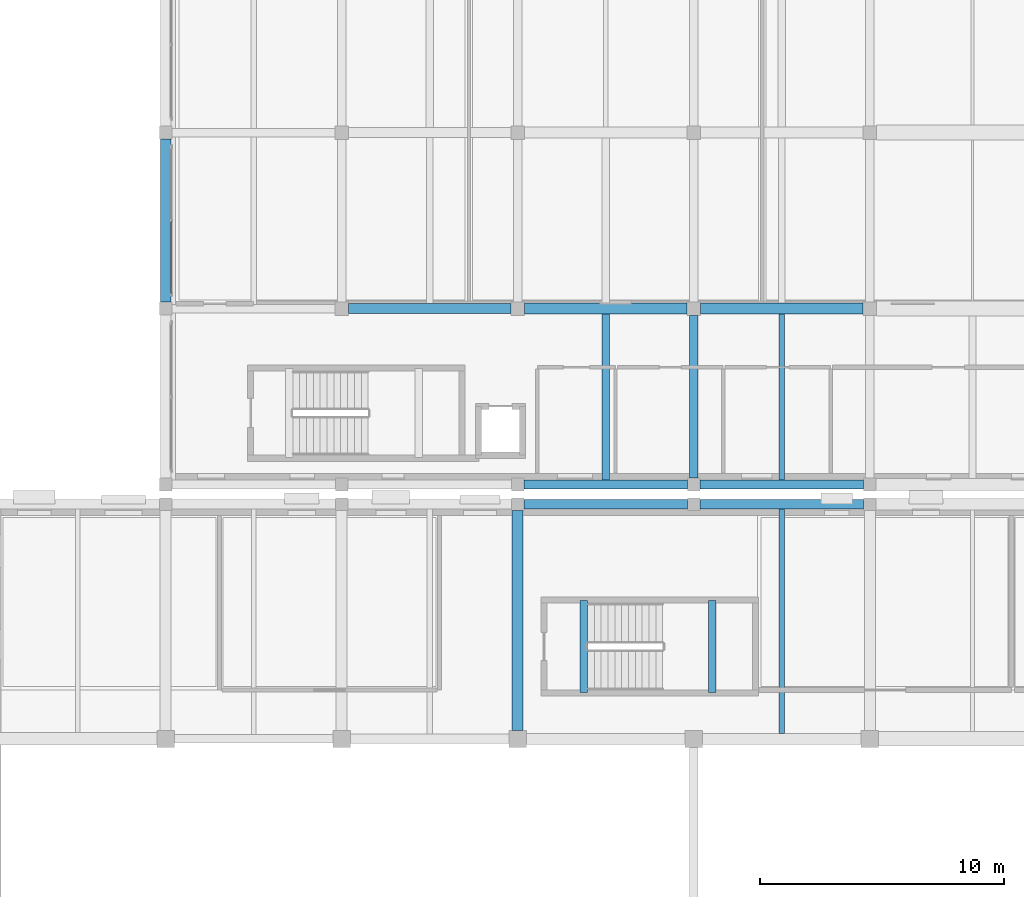
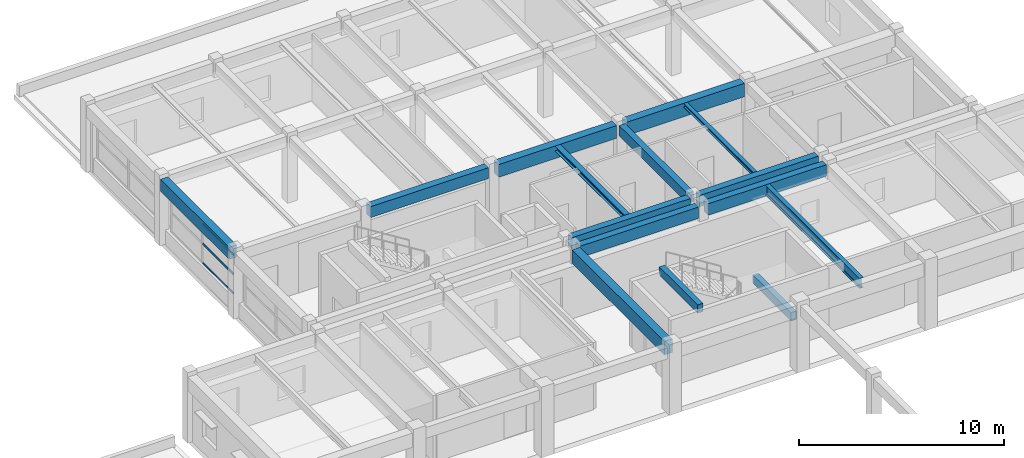
# One storey, part 35 of 67: 15 beams, 3 members, 1 element without a shape of its own.
"""IFC4 building model written with IfcOpenShell, lengths in metres."""

import ifcopenshell
import ifcopenshell.guid

model = None  # the IFC model being written
_history = None  # IfcOwnerHistory: only IFC2X3 demands one
_inside = {}  # id of a spatial element -> (the spatial element, [elements in it])
_under = {}  # id of a project, library or spatial element -> (it, [spatial elements below it])
_declared = {}  # id of a project -> (the project, [libraries it declares])
_typed = {}  # id of a type object -> (the type object, [elements of that type])
_made_of = {}  # id of a material, layer set ... -> (it, [elements and type objects made of it])


def new_model(schema):
    """Start an empty IFC model of exactly this schema.

    Asked for "IFC4X3", IfcOpenShell would pick the latest addendum, in which some entities
    have other attributes; the version numbers below select the first issue.
    IFC2X3 requires an IfcOwnerHistory on every rooted entity: one is made here for all.
    """
    global model, _history
    if schema == "IFC4X3":
        model = ifcopenshell.file(schema_version=(4, 3, 0, 0))
    else:
        model = ifcopenshell.file(schema=schema)
    _inside.clear()
    _under.clear()
    _declared.clear()
    _typed.clear()
    _made_of.clear()
    _history = None
    if model.schema == "IFC2X3":
        org = make("IfcOrganization", Name="unknown")
        user = make(
            "IfcPersonAndOrganization",
            ThePerson=make("IfcPerson", FamilyName="unknown"),
            TheOrganization=org,
        )
        app = make(
            "IfcApplication",
            ApplicationDeveloper=org,
            Version="unknown",
            ApplicationFullName="unknown",
            ApplicationIdentifier="unknown",
        )
        _history = make(
            "IfcOwnerHistory",
            OwningUser=user,
            OwningApplication=app,
            ChangeAction="ADDED",
            CreationDate=0,
        )
    return model


def make(cls, **values):
    """One entity of the class cls with the attributes given. An attribute that is None is left unset."""
    return model.create_entity(
        cls, **{name: value for name, value in values.items() if value is not None}
    )


def rooted(cls, **values):
    """An entity with a GlobalId (a new one), such as an element, a storey or a relation."""
    return make(cls, GlobalId=ifcopenshell.guid.new(), OwnerHistory=_history, **values)


def si_unit(unit_type, name, prefix=None):
    """IfcSIUnit, for example si_unit("LENGTHUNIT", "METRE", prefix="MILLI")."""
    return make("IfcSIUnit", UnitType=unit_type, Prefix=prefix, Name=name)


def assignment(units):
    """IfcUnitAssignment: the units of a project."""
    return None if units is None else make("IfcUnitAssignment", Units=units)


def point(xyz):
    """IfcCartesianPoint."""
    return None if xyz is None else make("IfcCartesianPoint", Coordinates=xyz)


def direction(xyz):
    """IfcDirection."""
    return None if xyz is None else make("IfcDirection", DirectionRatios=xyz)


def frame(location, z_axis=None, x_axis=None):
    """IfcAxis2Placement3D, a coordinate frame: its origin and axes. An axis left out is left unset."""
    return make(
        "IfcAxis2Placement3D",
        Location=point(location),
        Axis=direction(z_axis),
        RefDirection=direction(x_axis),
    )


def frame_2d(location, x_axis=None):
    """IfcAxis2Placement2D, a coordinate frame in the plane: its origin and x axis."""
    return make(
        "IfcAxis2Placement2D", Location=point(location), RefDirection=direction(x_axis)
    )


def origin():
    """The frame at (0, 0, 0) with its axes left unset."""
    return frame((0.0, 0.0, 0.0))


def origin_2d():
    """The frame at (0, 0) in the plane with its x axis left unset."""
    return frame_2d((0.0, 0.0))


def place(relative_to, where):
    """IfcLocalPlacement: puts the frame where relative to a parent placement (None: the world)."""
    return make(
        "IfcLocalPlacement", PlacementRelTo=relative_to, RelativePlacement=where
    )


def context(
    kind, dimensions, precision=None, world=None, true_north=None, identifier=None
):
    """IfcGeometricRepresentationContext, for example the 3D "Model" context."""
    return make(
        "IfcGeometricRepresentationContext",
        ContextIdentifier=identifier,
        ContextType=kind,
        CoordinateSpaceDimension=dimensions,
        Precision=precision,
        WorldCoordinateSystem=world,
        TrueNorth=true_north,
    )


def subcontext(parent, identifier, kind, view, scale=None):
    """IfcGeometricRepresentationSubContext, for example "Body" below "Model"."""
    return make(
        "IfcGeometricRepresentationSubContext",
        ContextIdentifier=identifier,
        ContextType=kind,
        ParentContext=parent,
        TargetScale=scale,
        TargetView=view,
    )


def project(units=None, contexts=None):
    """IfcProject with its units and contexts."""
    return rooted(
        "IfcProject",
        Name="project",
        RepresentationContexts=contexts,
        UnitsInContext=assignment(units),
    )


def spatial(cls, under=None, at=None, **own):
    """A site, building, storey or space (cls), placed at a placement, below another one or the project."""
    s = rooted(cls, ObjectPlacement=at, **own)
    if under is not None:
        _under.setdefault(under.id(), (under, []))[1].append(s)
    return s


def profile(cls, at=None, kind="AREA", **sizes):
    """A parametric profile (cls). Its sizes go by their IFC names, for example OverallWidth=200.0."""
    return make(cls, ProfileType=kind, Position=at, **sizes)


def rectangle(**sizes):
    """IfcRectangleProfileDef."""
    return profile("IfcRectangleProfileDef", **sizes)


def hollow_rectangle(**sizes):
    """IfcRectangleHollowProfileDef."""
    return profile("IfcRectangleHollowProfileDef", **sizes)


def i_section(**sizes):
    """IfcIShapeProfileDef."""
    return profile("IfcIShapeProfileDef", **sizes)


def extrude(swept, where, along, depth):
    """IfcExtrudedAreaSolid: the profile swept, set in the frame where, extruded along a direction by depth."""
    return make(
        "IfcExtrudedAreaSolid",
        SweptArea=swept,
        Position=where,
        ExtrudedDirection=direction(along),
        Depth=depth,
    )


def shape(context_of_items, identifier, shape_type, items):
    """IfcShapeRepresentation: the items that make up one representation, for example the "Body"."""
    return make(
        "IfcShapeRepresentation",
        ContextOfItems=context_of_items,
        RepresentationIdentifier=identifier,
        RepresentationType=shape_type,
        Items=items,
    )


def material(Name=None, Category=None):
    """IfcMaterial."""
    return make("IfcMaterial", Name=Name, Category=Category)


def material_profile(
    of_material, cross_section, Name=None, Category=None, Priority=None
):
    """IfcMaterialProfile: a cross section and its material."""
    return make(
        "IfcMaterialProfile",
        Name=Name,
        Material=of_material,
        Profile=cross_section,
        Priority=Priority,
        Category=Category,
    )


def profile_set(profiles, Name=None, composite=None):
    """IfcMaterialProfileSet."""
    return make(
        "IfcMaterialProfileSet",
        Name=Name,
        MaterialProfiles=profiles,
        CompositeProfile=composite,
    )


def made_of(thing, what):
    """Note that an element or type object is made of a material, layer set ...; save() writes the relation."""
    if what is not None:
        _made_of.setdefault(what.id(), (what, []))[1].append(thing)
    return thing


def type_object(cls, material=None, **own):
    """A type object (cls), such as IfcWallType, which elements share."""
    return made_of(rooted(cls, **own), material)


def element(
    cls,
    number,
    at=None,
    inside=None,
    cuts=None,
    type_object=None,
    material=None,
    context=None,
    identifier="Body",
    shape_type=None,
    held_by="IfcProductDefinitionShape",
    body=None,
    shapes=None,
    **own,
):
    """One element of the class cls, such as IfcWall. Its Tag is "e" and its number.

    at: its placement. inside: the storey or other place that contains it. cuts: it is an
    opening in that element (IfcRelVoidsElement). A single representation is given by context,
    identifier, shape_type and body (its items); several are given by shapes. held_by: the class
    of the entity that holds the representations. save() writes the other relations.
    """
    e = rooted(cls, Tag="e%d" % number, ObjectPlacement=at, **own)
    if body is not None:
        shapes = [shape(context, identifier, shape_type, body)]
    if shapes is not None:
        e.Representation = make(held_by, Representations=shapes)
    if inside is not None:
        _inside.setdefault(inside.id(), (inside, []))[1].append(e)
    if cuts is not None:
        rooted(
            "IfcRelVoidsElement", RelatingBuildingElement=cuts, RelatedOpeningElement=e
        )
    if type_object is not None:
        _typed.setdefault(type_object.id(), (type_object, []))[1].append(e)
    return made_of(e, material)


def aggregate(whole, parts):
    """IfcRelAggregates: a whole, such as a stair, and the parts it consists of."""
    return rooted("IfcRelAggregates", RelatingObject=whole, RelatedObjects=parts)


def save(model, path):
    """Write the relations noted so far, then the file.

    IfcRelAggregates (storeys below a building ...), IfcRelContainedInSpatialStructure (elements
    in a storey), IfcRelDefinesByType, IfcRelAssociatesMaterial and IfcRelDeclares: one each for
    every whole, place, type object, material and project.
    """
    for whole, parts in _under.values():
        aggregate(whole, parts)
    for where, things in _inside.values():
        rooted(
            "IfcRelContainedInSpatialStructure",
            RelatedElements=things,
            RelatingStructure=where,
        )
    for kind, things in _typed.values():
        rooted("IfcRelDefinesByType", RelatedObjects=things, RelatingType=kind)
    for what, things in _made_of.values():
        rooted("IfcRelAssociatesMaterial", RelatedObjects=things, RelatingMaterial=what)
    for by, libraries in _declared.values():
        rooted("IfcRelDeclares", RelatingContext=by, RelatedDefinitions=libraries)
    model.write(path)


model = new_model("IFC4")

# Units and contexts
model_context = context("Model", 3, precision=1e-05, world=origin(), true_north=direction((0.0, 1.0)))
body_context = subcontext(model_context, "Body", "Model", "MODEL_VIEW")
ifc_project = project(units=[si_unit("LENGTHUNIT", "METRE"), si_unit("AREAUNIT", "SQUARE_METRE"), si_unit("VOLUMEUNIT", "CUBIC_METRE"), si_unit("PLANEANGLEUNIT", "RADIAN"), si_unit("MASSUNIT", "GRAM", prefix="KILO")], contexts=[model_context])

# Site, building, storey
site_placement = place(None, origin())
site = spatial("IfcSite", under=ifc_project, at=site_placement, CompositionType="ELEMENT")
building_placement = place(site_placement, origin())
building = spatial("IfcBuilding", under=site, at=building_placement, Name="Bramveld Media Centre", CompositionType="ELEMENT")
storey_placement = place(building_placement, frame((0.0, 0.0, 5.39990234375)))
storey = spatial("IfcBuildingStorey", under=building, at=storey_placement, Name="L01", CompositionType="ELEMENT", Elevation=5.39990234375)

# Beams
ifc_material_1 = material(Name="Concrete C40/50", Category="concrete")
ifc_material_profile_1 = material_profile(ifc_material_1, rectangle(XDim=0.300048828125, YDim=0.5, at=origin_2d()), Name="RC 300x500")
ifc_profile_set_1 = profile_set([ifc_material_profile_1], Name="Concrete C40/50")
beam_type_1 = type_object("IfcBeamType", Name="BM-INT-RC-300x500", PredefinedType="BEAM", material=ifc_profile_set_1)
for number, where, z_axis, x_axis, name in (
    (1, (148.300048828125, 30.699951171875, 3.9501953125), (0.0, 1.0, 0.0), (-1.0, 0.0, 0.0), "ST-03 L02 stairwell landing trimmer beam"),
    (2, (153.550048828125, 30.699951171875, 1.650146484375), (0.0, 1.0, 0.0), (-1.0, 0.0, 0.0), "ST-03 L01 stairwell half-landing support beam"),
):
    element("IfcBeam", number, at=place(storey_placement, frame(where, z_axis=z_axis, x_axis=x_axis)), inside=storey, type_object=beam_type_1, Name=name, PredefinedType="BEAM", context=body_context, shape_type="SweptSolid", body=[
        extrude(rectangle(XDim=0.300048828125, YDim=0.5, at=origin_2d()), origin(), (0.0, 0.0, 1.0), 3.75),
    ])
ifc_material_2 = material(Name="Concrete C40/50", Category="concrete")
ifc_material_profile_2 = material_profile(ifc_material_2, rectangle(XDim=0.35009765625, YDim=0.60009765625, at=origin_2d()), Name="RC 350x600")
ifc_profile_set_2 = profile_set([ifc_material_profile_2], Name="Concrete C40/50")
beam_type_2 = type_object("IfcBeamType", Name="BM-INT-RC-350x600", PredefinedType="BEAM", material=ifc_profile_set_2)
beam_1_placement = place(storey_placement, frame((152.800048828125, 39.4599609375, 3.66015625), z_axis=(0.0, 1.0, 0.0), x_axis=(-1.0, 0.0, 0.0)))
element("IfcBeam", 3, at=beam_1_placement, inside=storey, type_object=beam_type_2, Name="V4 L01 girder Y-544", PredefinedType="BEAM", context=body_context, shape_type="SweptSolid", body=[
    extrude(rectangle(XDim=0.35009765625, YDim=0.60009765625, at=origin_2d()), origin(), (0.0, 0.0, 1.0), 6.6650390625),
])
ifc_material_3 = material(Name="Concrete C40/50", Category="concrete")
ifc_material_profile_3 = material_profile(ifc_material_3, rectangle(XDim=0.39990234375, YDim=0.64990234375, at=origin_2d()), Name="RC 400x650")
ifc_profile_set_3 = profile_set([ifc_material_profile_3], Name="Concrete C40/50")
beam_type_3 = type_object("IfcBeamType", Name="BM-INT-RC-400x650", PredefinedType="BEAM", material=ifc_profile_set_3)
beam_2_placement = place(storey_placement, frame((138.675048828125, 46.39990234375, 3.635009765625), z_axis=(1.0, 0.0, 0.0), x_axis=(0.0, 1.0, 0.0)))
element("IfcBeam", 4, at=beam_2_placement, inside=storey, type_object=beam_type_3, Name="V4 L01 girder X-523", PredefinedType="BEAM", context=body_context, shape_type="SweptSolid", body=[
    extrude(rectangle(XDim=0.39990234375, YDim=0.64990234375, at=origin_2d()), origin(), (0.0, 0.0, 1.0), 6.64990234375),
])
ifc_material_4 = material(Name="Concrete C40/50", Category="concrete")
ifc_material_profile_4 = material_profile(ifc_material_4, rectangle(XDim=0.449951171875, YDim=0.75, at=origin_2d()), Name="RC 450x750")
ifc_profile_set_4 = profile_set([ifc_material_profile_4], Name="Concrete C40/50")
beam_type_4 = type_object("IfcBeamType", Name="BM-INT-RC-450x750", PredefinedType="BEAM", material=ifc_profile_set_4)
beam_3_placement = place(storey_placement, frame((145.875, 46.39990234375, 3.585205078125), z_axis=(1.0, 0.0, 0.0), x_axis=(0.0, 1.0, 0.0)))
element("IfcBeam", 5, at=beam_3_placement, inside=storey, type_object=beam_type_4, Name="V4 L01 girder X-524", PredefinedType="BEAM", context=body_context, shape_type="SweptSolid", body=[
    extrude(rectangle(XDim=0.449951171875, YDim=0.75, at=origin_2d()), origin(), (0.0, 0.0, 1.0), 6.64990234375),
])
ifc_material_5 = material(Name="Concrete C40/50", Category="concrete")
ifc_material_profile_5 = material_profile(ifc_material_5, rectangle(XDim=0.449951171875, YDim=0.800048828125, at=origin_2d()), Name="RC 450x800")
ifc_profile_set_5 = profile_set([ifc_material_profile_5], Name="Concrete C40/50")
beam_type_5 = type_object("IfcBeamType", Name="BM-INT-RC-450x800", PredefinedType="BEAM", material=ifc_profile_set_5)
beam_4_placement = place(storey_placement, frame((145.60009765625, 29.14990234375, 3.5400390625), z_axis=(0.0, 1.0, 0.0), x_axis=(-1.0, 0.0, 0.0)))
element("IfcBeam", 6, at=beam_4_placement, inside=storey, type_object=beam_type_5, Name="V1 L01 girder Y-67", PredefinedType="BEAM", context=body_context, shape_type="SweptSolid", body=[
    extrude(rectangle(XDim=0.449951171875, YDim=0.800048828125, at=origin_2d()), origin(), (0.0, 0.0, 1.0), 8.989990234375),
])
beam_5_placement = place(storey_placement, frame((153.074951171875, 46.39990234375, 3.56005859375), z_axis=(1.0, 0.0, 0.0), x_axis=(0.0, 1.0, 0.0)))
element("IfcBeam", 7, at=beam_5_placement, inside=storey, type_object=beam_type_5, Name="V4 L01 girder X-525", PredefinedType="BEAM", context=body_context, shape_type="SweptSolid", body=[
    extrude(rectangle(XDim=0.449951171875, YDim=0.800048828125, at=origin_2d()), origin(), (0.0, 0.0, 1.0), 6.650146484375),
])

# Curtain wall, members
ifc_material_6 = material(Name="Thermally broken anodized bronze aluminium unitized curtain wall with solar-control triple glazing", Category="aluminium")
curtain_wall_type = type_object("IfcCurtainWallType", Name="CW-FACV4-6100x2350", PredefinedType="NOTDEFINED", material=ifc_material_6)
curtain_wall_placement = place(storey_placement, origin())
curtain_wall = element("IfcCurtainWall", 8, at=curtain_wall_placement, inside=storey, type_object=curtain_wall_type, Name="V4 L01 W curtain wall bay 2", PredefinedType="NOTDEFINED")
ifc_material_7 = material(Name="Thermally broken anodized bronze aluminium EN AW-6063 T6 curtain-wall framing", Category="aluminium")
ifc_material_profile_6 = material_profile(ifc_material_7, hollow_rectangle(XDim=0.06005859375, YDim=0.1201171875, WallThickness=0.00341796875, InnerFilletRadius=0.00341796875, OuterFilletRadius=0.007080078125, at=origin_2d()), Name="AL-TRAN 60x120")
ifc_profile_set_6 = profile_set([ifc_material_profile_6], Name="Thermally broken anodized bronze aluminium EN AW-6063 T6 curtain-wall framing")
member_type = type_object("IfcMemberType", Name="CW-TRAN-EXT", PredefinedType="USERDEFINED", material=ifc_profile_set_6)
member_1_placement = place(storey_placement, frame((131.429931640625, 47.010009765625, 0.880126953125), z_axis=(0.0, 1.0, 0.0), x_axis=(-1.0, 0.0, 0.0)))
member_1 = element("IfcMember", 9, at=member_1_placement, type_object=member_type, Name="CW-FA-6123 transom 1.1", ObjectType="TRANSOM", PredefinedType="USERDEFINED", context=body_context, shape_type="SweptSolid", body=[
    extrude(hollow_rectangle(XDim=0.06005859375, YDim=0.1201171875, WallThickness=0.00341796875, InnerFilletRadius=0.00341796875, OuterFilletRadius=0.007080078125, at=origin_2d()), origin(), (0.0, 0.0, 1.0), 2.9599609375),
])
member_2_placement = place(storey_placement, frame((131.429931640625, 47.010009765625, 2.025146484375), z_axis=(0.0, 1.0, 0.0), x_axis=(-1.0, 0.0, 0.0)))
member_2 = element("IfcMember", 10, at=member_2_placement, type_object=member_type, Name="CW-FA-6123 transom 1.2", ObjectType="TRANSOM", PredefinedType="USERDEFINED", context=body_context, shape_type="SweptSolid", body=[
    extrude(hollow_rectangle(XDim=0.06005859375, YDim=0.1201171875, WallThickness=0.00341796875, InnerFilletRadius=0.00341796875, OuterFilletRadius=0.007080078125, at=origin_2d()), origin(), (0.0, 0.0, 1.0), 2.9599609375),
])
member_3_placement = place(storey_placement, frame((131.429931640625, 47.010009765625, 3.170166015625), z_axis=(0.0, 1.0, 0.0), x_axis=(-1.0, 0.0, 0.0)))
member_3 = element("IfcMember", 11, at=member_3_placement, type_object=member_type, Name="CW-FA-6123 transom 1.3", ObjectType="TRANSOM", PredefinedType="USERDEFINED", context=body_context, shape_type="SweptSolid", body=[
    extrude(hollow_rectangle(XDim=0.06005859375, YDim=0.1201171875, WallThickness=0.00341796875, InnerFilletRadius=0.00341796875, OuterFilletRadius=0.007080078125, at=origin_2d()), origin(), (0.0, 0.0, 1.0), 2.9599609375),
])
aggregate(curtain_wall, [member_1, member_2, member_3])

# Beams
ifc_material_8 = material(Name="Steel S355J2", Category="steel")
ifc_material_profile_7 = material_profile(ifc_material_8, i_section(OverallWidth=0.300048828125, OverallDepth=0.31005859375, WebThickness=0.009033203125, FlangeThickness=0.015380859375, FilletRadius=0.027099609375, at=origin_2d()), Name="HEA 320")
ifc_profile_set_7 = profile_set([ifc_material_profile_7], Name="Steel S355J2")
beam_type_6 = type_object("IfcBeamType", Name="SBM-INT-HEA-320", PredefinedType="BEAM", material=ifc_profile_set_7)
beam_6_placement = place(storey_placement, frame((149.199951171875, 39.389892578125, 3.80517578125), z_axis=(0.0, 1.0, 0.0), x_axis=(-1.0, 0.0, 0.0)))
element("IfcBeam", 12, at=beam_6_placement, inside=storey, type_object=beam_type_6, Name="V4 L01 secondary floor joist 557", PredefinedType="BEAM", context=body_context, shape_type="SweptSolid", body=[
    extrude(i_section(OverallWidth=0.300048828125, OverallDepth=0.31005859375, WebThickness=0.009033203125, FlangeThickness=0.015380859375, FilletRadius=0.027099609375, at=origin_2d()), origin(), (0.0, 0.0, 1.0), 6.78515625),
])
ifc_material_9 = material(Name="Steel S355J2", Category="steel")
ifc_material_profile_8 = material_profile(ifc_material_9, i_section(OverallWidth=0.219970703125, OverallDepth=0.219970703125, WebThickness=0.009521484375, FlangeThickness=0.01611328125, FilletRadius=0.01806640625, at=origin_2d()), Name="HEB 220")
ifc_profile_set_8 = profile_set([ifc_material_profile_8], Name="Steel S355J2")
beam_type_7 = type_object("IfcBeamType", Name="SBM-INT-HEB-220", PredefinedType="BEAM", material=ifc_profile_set_8)
beam_7_placement = place(storey_placement, frame((156.39990234375, 39.389892578125, 3.85009765625), z_axis=(0.0, 1.0, 0.0), x_axis=(-1.0, 0.0, 0.0)))
element("IfcBeam", 13, at=beam_7_placement, inside=storey, type_object=beam_type_7, Name="V4 L01 secondary floor joist 560", PredefinedType="BEAM", context=body_context, shape_type="SweptSolid", body=[
    extrude(i_section(OverallWidth=0.219970703125, OverallDepth=0.219970703125, WebThickness=0.009521484375, FlangeThickness=0.01611328125, FilletRadius=0.01806640625, at=origin_2d()), origin(), (0.0, 0.0, 1.0), 6.78515625),
])
ifc_material_10 = material(Name="Steel S355J2", Category="steel")
ifc_material_profile_9 = material_profile(ifc_material_10, i_section(OverallWidth=0.219970703125, OverallDepth=0.60009765625, WebThickness=0.011962890625, FlangeThickness=0.01904296875, FilletRadius=0.02392578125, at=origin_2d()), Name="IPE 600")
ifc_profile_set_9 = profile_set([ifc_material_profile_9], Name="Steel S355J2")
beam_type_8 = type_object("IfcBeamType", Name="SBM-INT-IPE-600", PredefinedType="BEAM", material=ifc_profile_set_9)
beam_8_placement = place(storey_placement, frame((156.39990234375, 29.02490234375, 3.64013671875), z_axis=(0.0, 1.0, 0.0), x_axis=(-1.0, 0.0, 0.0)))
element("IfcBeam", 14, at=beam_8_placement, inside=storey, type_object=beam_type_8, Name="V1 L01 secondary floor joist 83", PredefinedType="BEAM", context=body_context, shape_type="SweptSolid", body=[
    extrude(i_section(OverallWidth=0.219970703125, OverallDepth=0.60009765625, WebThickness=0.011962890625, FlangeThickness=0.01904296875, FilletRadius=0.02392578125, at=origin_2d()), origin(), (0.0, 0.0, 1.0), 9.18505859375),
])
ifc_material_11 = material(Name="Concrete C40/50", Category="concrete")
ifc_material_profile_10 = material_profile(ifc_material_11, rectangle(XDim=0.3798828125, YDim=0.679931640625, at=origin_2d()), Name="RC 380x680")
ifc_profile_set_10 = profile_set([ifc_material_profile_10], Name="Concrete C40/50")
beam_type_9 = type_object("IfcBeamType", Name="SPANDREL-EXT-RC-380x680", PredefinedType="SPANDREL", material=ifc_profile_set_10)
for number, where, z_axis, x_axis, name in (
    (15, (145.860107421875, 38.39990234375, 3.60009765625), (1.0, 0.0, 0.0), (0.0, 1.0, 0.0), "V1 L01 girder X-55"),
    (16, (153.06005859375, 38.39990234375, 3.60009765625), (1.0, 0.0, 0.0), (0.0, 1.0, 0.0), "V1 L01 girder X-56"),
    (17, (145.860107421875, 39.199951171875, 3.6201171875), (1.0, 0.0, 0.0), (0.0, 1.0, 0.0), "V4 L01 girder X-519"),
    (18, (153.06005859375, 39.199951171875, 3.6201171875), (1.0, 0.0, 0.0), (0.0, 1.0, 0.0), "V4 L01 girder X-520"),
):
    element("IfcBeam", number, at=place(storey_placement, frame(where, z_axis=z_axis, x_axis=x_axis)), inside=storey, type_object=beam_type_9, Name=name, PredefinedType="SPANDREL", context=body_context, shape_type="SweptSolid", body=[
        extrude(rectangle(XDim=0.3798828125, YDim=0.679931640625, at=origin_2d()), origin(), (0.0, 0.0, 1.0), 6.679931640625),
    ])
ifc_material_12 = material(Name="Concrete C40/50", Category="concrete")
ifc_material_profile_11 = material_profile(ifc_material_12, rectangle(XDim=0.419921875, YDim=0.719970703125, at=origin_2d()), Name="RC 420x720")
ifc_profile_set_11 = profile_set([ifc_material_profile_11], Name="Concrete C40/50")
beam_type_10 = type_object("IfcBeamType", Name="SPANDREL-EXT-RC-420x720", PredefinedType="SPANDREL", material=ifc_profile_set_11)
beam_9_placement = place(storey_placement, frame((131.199951171875, 46.659912109375, 3.60009765625), z_axis=(0.0, 1.0, 0.0), x_axis=(-1.0, 0.0, 0.0)))
element("IfcBeam", 19, at=beam_9_placement, inside=storey, type_object=beam_type_10, Name="V4 L01 girder Y-538", PredefinedType="SPANDREL", context=body_context, shape_type="SweptSolid", body=[
    extrude(rectangle(XDim=0.419921875, YDim=0.719970703125, at=origin_2d()), origin(), (0.0, 0.0, 1.0), 6.68017578125),
])

save(model, "model.ifc")
